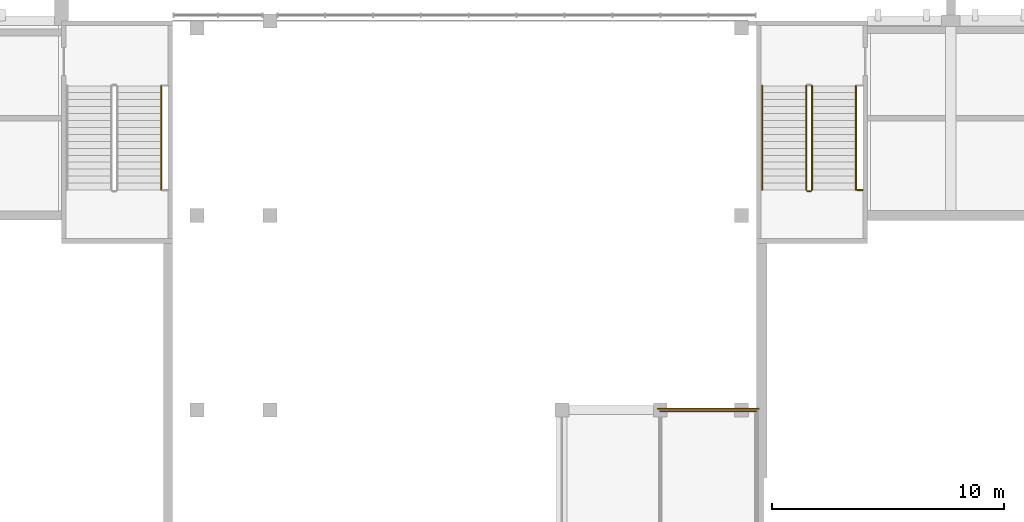
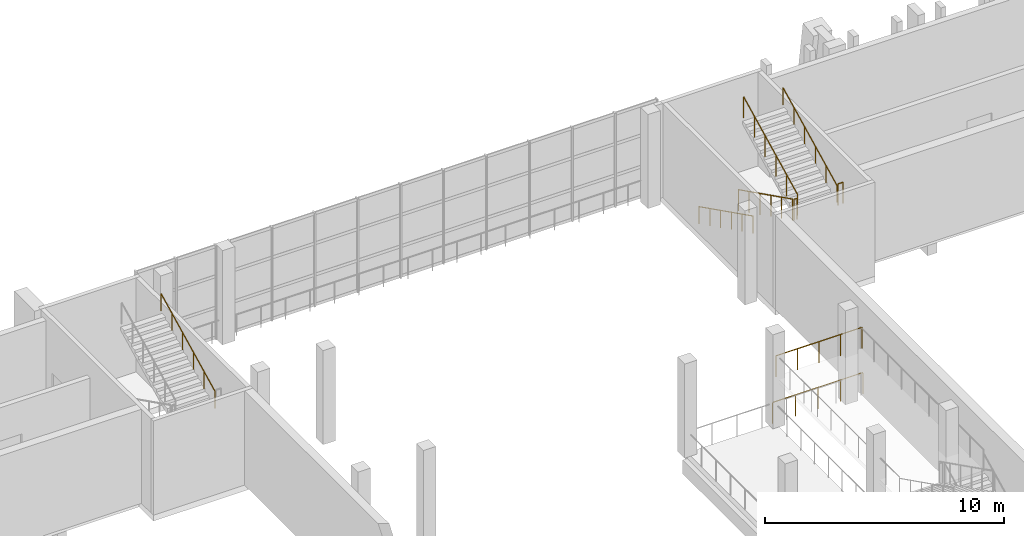
# One storey, part 76 of 91: 9 railings.
"""IFC4 building model written with IfcOpenShell, lengths in metres."""

from ifc_helpers import new_model, si_unit, direction, frame, origin, origin_2d, place, context, subcontext, project, spatial, circle, extrude, material, type_object, element, save


model = new_model("IFC4")

# Units and contexts
model_context = context("Model", 3, precision=1e-05, world=origin(), true_north=direction((0.0, 1.0)))
body_context = subcontext(model_context, "Body", "Model", "MODEL_VIEW")
ifc_project = project(units=[si_unit("LENGTHUNIT", "METRE"), si_unit("AREAUNIT", "SQUARE_METRE"), si_unit("VOLUMEUNIT", "CUBIC_METRE"), si_unit("PLANEANGLEUNIT", "RADIAN"), si_unit("MASSUNIT", "GRAM", prefix="KILO")], contexts=[model_context])

# Site, building, storey
site_placement = place(None, origin())
site = spatial("IfcSite", under=ifc_project, at=site_placement, CompositionType="ELEMENT")
building_placement = place(site_placement, origin())
building = spatial("IfcBuilding", under=site, at=building_placement, Name="Kiln Court Media Centre", CompositionType="ELEMENT")
storey_placement = place(building_placement, frame((0.0, 0.0, 5.39990234375)))
storey = spatial("IfcBuildingStorey", under=building, at=storey_placement, Name="L01", CompositionType="ELEMENT", Elevation=5.39990234375)

# Railings
ifc_material_1 = material(Name="Steel S275", Category="steel")
railing_type_1 = type_object("IfcRailingType", Name="Steel S275 stair guard 1100", PredefinedType="GUARDRAIL", material=ifc_material_1)
railing_1_placement = place(storey_placement, frame((60.949951171875, 64.39990234375, 0.150146484375)))
element("IfcRailing", 1, at=railing_1_placement, inside=storey, type_object=railing_type_1, Name="ST-11 stair guard", PredefinedType="GUARDRAIL", context=body_context, shape_type="SweptSolid", body=[
    extrude(circle(Radius=0.02392578125, at=origin_2d()), frame((0.0, 0.0, 1.076171875), z_axis=(0.0, -0.894427191, 0.4472135955), x_axis=(1.0, 0.0, 0.0)), (0.0, 0.0, 1.0), 5.03125),
    extrude(circle(Radius=0.02099609375, at=origin_2d()), origin(), (0.0, 0.0, 1.0), 1.052001953125),
    extrude(circle(Radius=0.02099609375, at=origin_2d()), frame((0.0, -0.89990234375, 0.449951171875)), (0.0, 0.0, 1.0), 1.052001953125),
    extrude(circle(Radius=0.02099609375, at=origin_2d()), frame((0.0, -1.800048828125, 0.89990234375)), (0.0, 0.0, 1.0), 1.052001953125),
    extrude(circle(Radius=0.02099609375, at=origin_2d()), frame((0.0, -2.699951171875, 1.35009765625)), (0.0, 0.0, 1.0), 1.052001953125),
    extrude(circle(Radius=0.02099609375, at=origin_2d()), frame((0.0, -3.60009765625, 1.800048828125)), (0.0, 0.0, 1.0), 1.052001953125),
    extrude(circle(Radius=0.02099609375, at=origin_2d()), frame((0.0, -4.5, 2.25)), (0.0, 0.0, 1.0), 1.052001953125),
])
railing_2_placement = place(storey_placement, frame((61.0, 59.85009765625, 2.400146484375)))
element("IfcRailing", 2, at=railing_2_placement, inside=storey, type_object=railing_type_1, Name="ST-11 stair guard", PredefinedType="GUARDRAIL", context=body_context, shape_type="SweptSolid", body=[
    extrude(circle(Radius=0.02392578125, at=origin_2d()), frame((0.0, 0.0, 1.076171875), z_axis=(1.0, 0.0, 0.0), x_axis=(0.0, 1.0, 0.0)), (0.0, 0.0, 1.0), 0.14990234375),
    extrude(circle(Radius=0.02099609375, at=origin_2d()), origin(), (0.0, 0.0, 1.0), 1.052001953125),
    extrude(circle(Radius=0.02099609375, at=origin_2d()), frame((0.14990234375, 0.0, 0.0)), (0.0, 0.0, 1.0), 1.052001953125),
])
railing_3_placement = place(storey_placement, frame((61.199951171875, 59.89990234375, 2.550048828125)))
element("IfcRailing", 3, at=railing_3_placement, inside=storey, type_object=railing_type_1, Name="ST-11 stair guard", PredefinedType="GUARDRAIL", context=body_context, shape_type="SweptSolid", body=[
    extrude(circle(Radius=0.02392578125, at=origin_2d()), frame((0.0, 0.0, 1.076171875), z_axis=(0.0, 0.894427191, 0.4472135955), x_axis=(-1.0, 0.0, 0.0)), (0.0, 0.0, 1.0), 5.03125),
    extrude(circle(Radius=0.02099609375, at=origin_2d()), origin(), (0.0, 0.0, 1.0), 1.052001953125),
    extrude(circle(Radius=0.02099609375, at=origin_2d()), frame((0.0, 0.89990234375, 0.449951171875)), (0.0, 0.0, 1.0), 1.052001953125),
    extrude(circle(Radius=0.02099609375, at=origin_2d()), frame((0.0, 1.800048828125, 0.89990234375)), (0.0, 0.0, 1.0), 1.052001953125),
    extrude(circle(Radius=0.02099609375, at=origin_2d()), frame((0.0, 2.699951171875, 1.35009765625)), (0.0, 0.0, 1.0), 1.052001953125),
    extrude(circle(Radius=0.02099609375, at=origin_2d()), frame((0.0, 3.60009765625, 1.800048828125)), (0.0, 0.0, 1.0), 1.052001953125),
    extrude(circle(Radius=0.02099609375, at=origin_2d()), frame((0.0, 4.5, 2.25)), (0.0, 0.0, 1.0), 1.052001953125),
])
railing_4_placement = place(storey_placement, frame((63.14990234375, 59.89990234375, 2.400146484375)))
element("IfcRailing", 4, at=railing_4_placement, inside=storey, type_object=railing_type_1, Name="ST-11 landing edge guard", PredefinedType="GUARDRAIL", context=body_context, shape_type="SweptSolid", body=[
    extrude(circle(Radius=0.02392578125, at=origin_2d()), frame((0.0, 0.0, 1.076171875), z_axis=(1.0, 0.0, 0.0), x_axis=(0.0, 1.0, 0.0)), (0.0, 0.0, 1.0), 0.25),
    extrude(circle(Radius=0.02099609375, at=origin_2d()), origin(), (0.0, 0.0, 1.0), 1.052001953125),
    extrude(circle(Radius=0.02099609375, at=origin_2d()), frame((0.25, 0.0, 0.0)), (0.0, 0.0, 1.0), 1.052001953125),
])
railing_5_placement = place(storey_placement, frame((58.800048828125, 50.35009765625, 2.400146484375)))
element("IfcRailing", 5, at=railing_5_placement, inside=storey, type_object=railing_type_1, Name="ST-F1 stair guard", PredefinedType="GUARDRAIL", context=body_context, shape_type="SweptSolid", body=[
    extrude(circle(Radius=0.02392578125, at=origin_2d()), frame((0.0, 0.0, 1.076171875), z_axis=(-1.0, 0.0, 0.0), x_axis=(0.0, -1.0, 0.0)), (0.0, 0.0, 1.0), 4.150146484375),
    extrude(circle(Radius=0.02099609375, at=origin_2d()), origin(), (0.0, 0.0, 1.0), 1.052001953125),
    extrude(circle(Radius=0.02099609375, at=origin_2d()), frame((-1.03759765625, 0.0, 0.0)), (0.0, 0.0, 1.0), 1.052001953125),
    extrude(circle(Radius=0.02099609375, at=origin_2d()), frame((-2.0751953125, 0.0, 0.0)), (0.0, 0.0, 1.0), 1.052001953125),
    extrude(circle(Radius=0.02099609375, at=origin_2d()), frame((-3.112548828125, 0.0, 0.0)), (0.0, 0.0, 1.0), 1.052001953125),
    extrude(circle(Radius=0.02099609375, at=origin_2d()), frame((-4.150146484375, 0.0, 0.0)), (0.0, 0.0, 1.0), 1.052001953125),
])
railing_6_placement = place(storey_placement, frame((58.89990234375, 50.449951171875, 0.0)))
element("IfcRailing", 6, at=railing_6_placement, inside=storey, type_object=railing_type_1, Name="ST-F1 stair guard", PredefinedType="GUARDRAIL", context=body_context, shape_type="SweptSolid", body=[
    extrude(circle(Radius=0.02392578125, at=origin_2d()), frame((0.0, 0.0, 1.076171875), z_axis=(-1.0, 0.0, 0.0), x_axis=(0.0, -1.0, 0.0)), (0.0, 0.0, 1.0), 4.349853515625),
    extrude(circle(Radius=0.02099609375, at=origin_2d()), origin(), (0.0, 0.0, 1.0), 1.052001953125),
    extrude(circle(Radius=0.02099609375, at=origin_2d()), frame((-1.08740234375, 0.0, 0.0)), (0.0, 0.0, 1.0), 1.052001953125),
    extrude(circle(Radius=0.02099609375, at=origin_2d()), frame((-2.1748046875, 0.0, 0.0)), (0.0, 0.0, 1.0), 1.052001953125),
    extrude(circle(Radius=0.02099609375, at=origin_2d()), frame((-3.262451171875, 0.0, 0.0)), (0.0, 0.0, 1.0), 1.052001953125),
    extrude(circle(Radius=0.02099609375, at=origin_2d()), frame((-4.349853515625, 0.0, 0.0)), (0.0, 0.0, 1.0), 1.052001953125),
])
ifc_material_2 = material(Name="Steel S275", Category="steel")
railing_type_2 = type_object("IfcRailingType", Name="Steel S275 stair handrail 900", PredefinedType="HANDRAIL", material=ifc_material_2)
railing_7_placement = place(storey_placement, frame((33.10009765625, 59.89990234375, 2.550048828125)))
element("IfcRailing", 7, at=railing_7_placement, inside=storey, type_object=railing_type_2, Name="ST-08 stair handrail", PredefinedType="HANDRAIL", context=body_context, shape_type="SweptSolid", body=[
    extrude(circle(Radius=0.02392578125, at=origin_2d()), frame((0.0, 0.0, 0.8759765625), z_axis=(0.0, 0.894427191, 0.4472135955), x_axis=(-1.0, 0.0, 0.0)), (0.0, 0.0, 1.0), 5.03125),
    extrude(circle(Radius=0.02099609375, at=origin_2d()), origin(), (0.0, 0.0, 1.0), 0.851806640625),
    extrude(circle(Radius=0.02099609375, at=origin_2d()), frame((0.0, 0.89990234375, 0.449951171875)), (0.0, 0.0, 1.0), 0.851806640625),
    extrude(circle(Radius=0.02099609375, at=origin_2d()), frame((0.0, 1.800048828125, 0.89990234375)), (0.0, 0.0, 1.0), 0.851806640625),
    extrude(circle(Radius=0.02099609375, at=origin_2d()), frame((0.0, 2.699951171875, 1.35009765625)), (0.0, 0.0, 1.0), 0.851806640625),
    extrude(circle(Radius=0.02099609375, at=origin_2d()), frame((0.0, 3.60009765625, 1.800048828125)), (0.0, 0.0, 1.0), 0.851806640625),
    extrude(circle(Radius=0.02099609375, at=origin_2d()), frame((0.0, 4.5, 2.25)), (0.0, 0.0, 1.0), 0.851806640625),
])
railing_8_placement = place(storey_placement, frame((59.050048828125, 64.39990234375, 0.150146484375)))
element("IfcRailing", 8, at=railing_8_placement, inside=storey, type_object=railing_type_2, Name="ST-11 stair handrail", PredefinedType="HANDRAIL", context=body_context, shape_type="SweptSolid", body=[
    extrude(circle(Radius=0.02392578125, at=origin_2d()), frame((0.0, 0.0, 0.8759765625), z_axis=(0.0, -0.894427191, 0.4472135955), x_axis=(1.0, 0.0, 0.0)), (0.0, 0.0, 1.0), 5.03125),
    extrude(circle(Radius=0.02099609375, at=origin_2d()), origin(), (0.0, 0.0, 1.0), 0.851806640625),
    extrude(circle(Radius=0.02099609375, at=origin_2d()), frame((0.0, -0.89990234375, 0.449951171875)), (0.0, 0.0, 1.0), 0.851806640625),
    extrude(circle(Radius=0.02099609375, at=origin_2d()), frame((0.0, -1.800048828125, 0.89990234375)), (0.0, 0.0, 1.0), 0.851806640625),
    extrude(circle(Radius=0.02099609375, at=origin_2d()), frame((0.0, -2.699951171875, 1.35009765625)), (0.0, 0.0, 1.0), 0.851806640625),
    extrude(circle(Radius=0.02099609375, at=origin_2d()), frame((0.0, -3.60009765625, 1.800048828125)), (0.0, 0.0, 1.0), 0.851806640625),
    extrude(circle(Radius=0.02099609375, at=origin_2d()), frame((0.0, -4.5, 2.25)), (0.0, 0.0, 1.0), 0.851806640625),
])
railing_9_placement = place(storey_placement, frame((63.10009765625, 59.89990234375, 2.550048828125)))
element("IfcRailing", 9, at=railing_9_placement, inside=storey, type_object=railing_type_2, Name="ST-11 stair handrail", PredefinedType="HANDRAIL", context=body_context, shape_type="SweptSolid", body=[
    extrude(circle(Radius=0.02392578125, at=origin_2d()), frame((0.0, 0.0, 0.8759765625), z_axis=(0.0, 0.894427191, 0.4472135955), x_axis=(-1.0, 0.0, 0.0)), (0.0, 0.0, 1.0), 5.03125),
    extrude(circle(Radius=0.02099609375, at=origin_2d()), origin(), (0.0, 0.0, 1.0), 0.851806640625),
    extrude(circle(Radius=0.02099609375, at=origin_2d()), frame((0.0, 0.89990234375, 0.449951171875)), (0.0, 0.0, 1.0), 0.851806640625),
    extrude(circle(Radius=0.02099609375, at=origin_2d()), frame((0.0, 1.800048828125, 0.89990234375)), (0.0, 0.0, 1.0), 0.851806640625),
    extrude(circle(Radius=0.02099609375, at=origin_2d()), frame((0.0, 2.699951171875, 1.35009765625)), (0.0, 0.0, 1.0), 0.851806640625),
    extrude(circle(Radius=0.02099609375, at=origin_2d()), frame((0.0, 3.60009765625, 1.800048828125)), (0.0, 0.0, 1.0), 0.851806640625),
    extrude(circle(Radius=0.02099609375, at=origin_2d()), frame((0.0, 4.5, 2.25)), (0.0, 0.0, 1.0), 0.851806640625),
])

save(model, "model.ifc")
